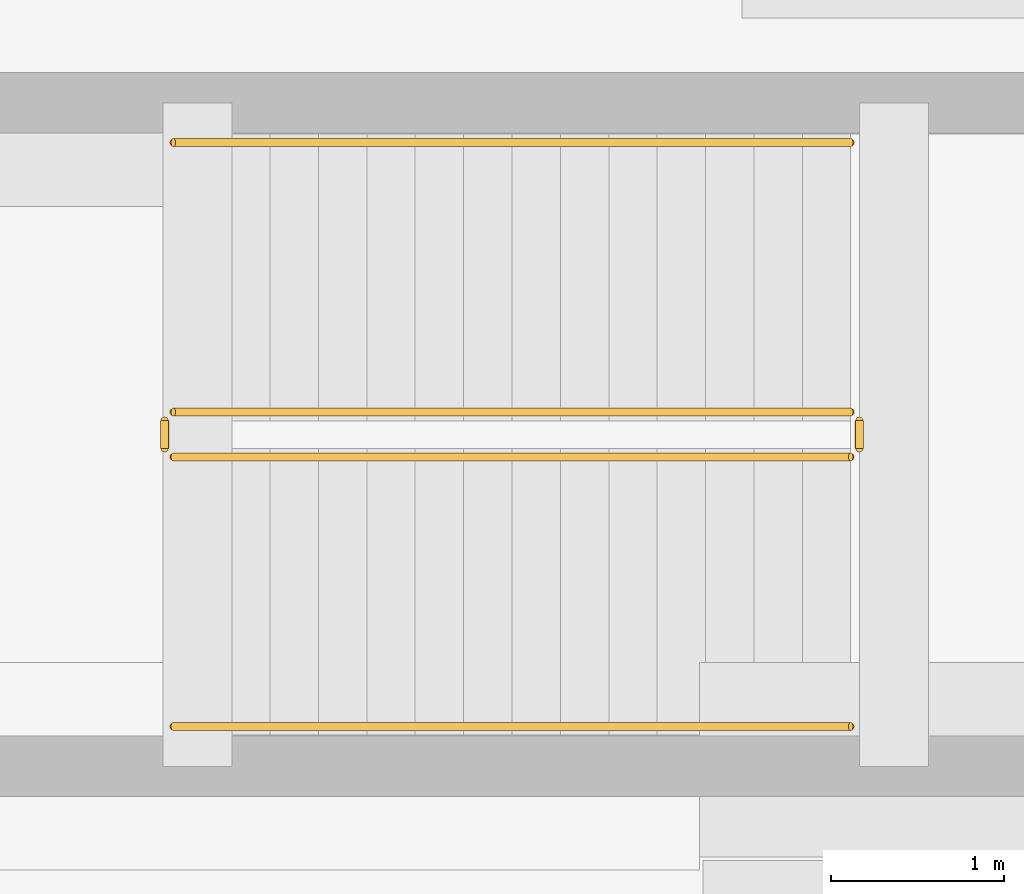
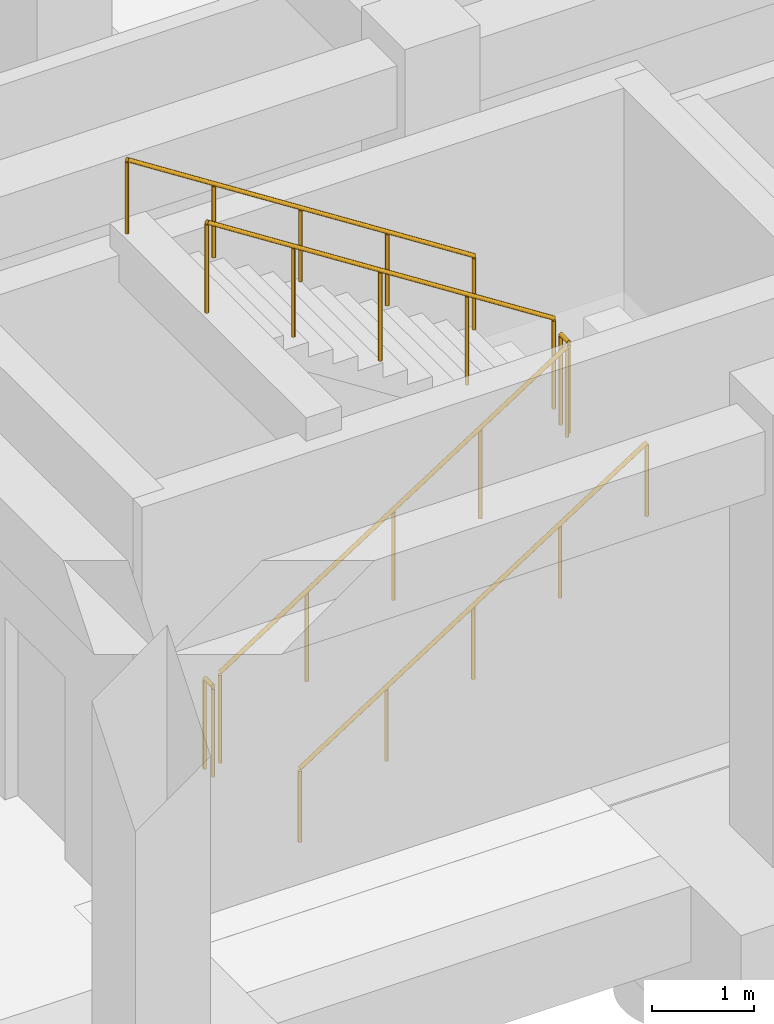
# One storey, part 24 of 26: 6 railings.
"""IFC4 building model written with IfcOpenShell, lengths in metres."""

from ifc_helpers import new_model, si_unit, direction, frame, origin, origin_2d, place, context, subcontext, project, spatial, circle, extrude, material, type_object, element, save


model = new_model("IFC4")

# Units and contexts
model_context = context("Model", 3, precision=1e-05, world=origin(), true_north=direction((0.0, 1.0)))
body_context = subcontext(model_context, "Body", "Model", "MODEL_VIEW")
ifc_project = project(units=[si_unit("LENGTHUNIT", "METRE"), si_unit("AREAUNIT", "SQUARE_METRE"), si_unit("VOLUMEUNIT", "CUBIC_METRE"), si_unit("PLANEANGLEUNIT", "RADIAN"), si_unit("MASSUNIT", "GRAM", prefix="KILO")], contexts=[model_context])

# Site, building, storey
site_placement = place(None, origin())
site = spatial("IfcSite", under=ifc_project, at=site_placement, CompositionType="ELEMENT")
building_placement = place(site_placement, origin())
building = spatial("IfcBuilding", under=site, at=building_placement, Name="Kazehaya Institute of Natural Sciences", CompositionType="ELEMENT")
storey_placement = place(building_placement, frame((0.0, 0.0, -5.39990234375)))
storey = spatial("IfcBuildingStorey", under=building, at=storey_placement, Name="B1", CompositionType="ELEMENT", Elevation=-5.39990234375)

# Railings
ifc_material_1 = material(Name="Structural steel SN490B", Category="steel")
railing_type_1 = type_object("IfcRailingType", Name="RL-STAIR-GRD", PredefinedType="GUARDRAIL", material=ifc_material_1)
railing_1_placement = place(storey_placement, frame((71.860107421875, 89.610107421875, 0.179931640625)))
element("IfcRailing", 1, at=railing_1_placement, inside=storey, type_object=railing_type_1, Name="B1 ST-3 stair guard 1", PredefinedType="GUARDRAIL", context=body_context, shape_type="SweptSolid", body=[
    extrude(circle(Radius=0.02392578125, at=origin_2d()), frame((0.0, 0.0, 1.076171875), z_axis=(0.841171666519, 0.0, 0.540768182723), x_axis=(0.0, 1.0, 0.0)), (0.0, 0.0, 1.0), 4.66015625),
    extrude(circle(Radius=0.02099609375, at=origin_2d()), origin(), (0.0, 0.0, 1.0), 1.052001953125),
    extrude(circle(Radius=0.02099609375, at=origin_2d()), frame((0.97998046875, 0.0, 0.6298828125)), (0.0, 0.0, 1.0), 1.052001953125),
    extrude(circle(Radius=0.02099609375, at=origin_2d()), frame((1.9599609375, 0.0, 1.260009765625)), (0.0, 0.0, 1.0), 1.052001953125),
    extrude(circle(Radius=0.02099609375, at=origin_2d()), frame((2.93994140625, 0.0, 1.89013671875)), (0.0, 0.0, 1.0), 1.052001953125),
    extrude(circle(Radius=0.02099609375, at=origin_2d()), frame((3.919921875, 0.0, 2.52001953125)), (0.0, 0.0, 1.0), 1.052001953125),
])
railing_2_placement = place(storey_placement, frame((75.830078125, 89.659912109375, 2.699951171875)))
element("IfcRailing", 2, at=railing_2_placement, inside=storey, type_object=railing_type_1, Name="B1 ST-3 stair guard 2", PredefinedType="GUARDRAIL", context=body_context, shape_type="SweptSolid", body=[
    extrude(circle(Radius=0.02392578125, at=origin_2d()), frame((0.0, 0.0, 1.076171875), z_axis=(0.0, 1.0, 0.0), x_axis=(-1.0, 0.0, 0.0)), (0.0, 0.0, 1.0), 0.16015625),
    extrude(circle(Radius=0.02099609375, at=origin_2d()), origin(), (0.0, 0.0, 1.0), 1.052001953125),
    extrude(circle(Radius=0.02099609375, at=origin_2d()), frame((0.0, 0.16015625, 0.0)), (0.0, 0.0, 1.0), 1.052001953125),
])
railing_3_placement = place(storey_placement, frame((75.780029296875, 89.8701171875, 2.8798828125)))
element("IfcRailing", 3, at=railing_3_placement, inside=storey, type_object=railing_type_1, Name="B1 ST-3 stair guard 3", PredefinedType="GUARDRAIL", context=body_context, shape_type="SweptSolid", body=[
    extrude(circle(Radius=0.02392578125, at=origin_2d()), frame((0.0, 0.0, 1.076171875), z_axis=(-0.841171666519, 0.0, 0.540768182723), x_axis=(0.0, -1.0, 0.0)), (0.0, 0.0, 1.0), 4.66015625),
    extrude(circle(Radius=0.02099609375, at=origin_2d()), origin(), (0.0, 0.0, 1.0), 1.052001953125),
    extrude(circle(Radius=0.02099609375, at=origin_2d()), frame((-0.97998046875, 0.0, 0.6298828125)), (0.0, 0.0, 1.0), 1.052001953125),
    extrude(circle(Radius=0.02099609375, at=origin_2d()), frame((-1.9599609375, 0.0, 1.260009765625)), (0.0, 0.0, 1.0), 1.052001953125),
    extrude(circle(Radius=0.02099609375, at=origin_2d()), frame((-2.93994140625, 0.0, 1.89013671875)), (0.0, 0.0, 1.0), 1.052001953125),
    extrude(circle(Radius=0.02099609375, at=origin_2d()), frame((-3.919921875, 0.0, 2.52001953125)), (0.0, 0.0, 1.0), 1.052001953125),
])
railing_4_placement = place(storey_placement, frame((71.81005859375, 89.659912109375, 0.0)))
element("IfcRailing", 4, at=railing_4_placement, inside=storey, type_object=railing_type_1, Name="B1 ST-3 stair guard 4", PredefinedType="GUARDRAIL", context=body_context, shape_type="SweptSolid", body=[
    extrude(circle(Radius=0.02392578125, at=origin_2d()), frame((0.0, 0.0, 1.076171875), z_axis=(0.0, 1.0, 0.0), x_axis=(-1.0, 0.0, 0.0)), (0.0, 0.0, 1.0), 0.16015625),
    extrude(circle(Radius=0.02099609375, at=origin_2d()), origin(), (0.0, 0.0, 1.0), 1.052001953125),
    extrude(circle(Radius=0.02099609375, at=origin_2d()), frame((0.0, 0.16015625, 0.0)), (0.0, 0.0, 1.0), 1.052001953125),
])
ifc_material_2 = material(Name="Brushed stainless steel handrail", Category="steel")
railing_type_2 = type_object("IfcRailingType", Name="RL-STAIR-HND", PredefinedType="HANDRAIL", material=ifc_material_2)
railing_5_placement = place(storey_placement, frame((71.860107421875, 88.050048828125, 0.179931640625)))
element("IfcRailing", 5, at=railing_5_placement, inside=storey, type_object=railing_type_2, Name="B1 ST-3 stair handrail 1", PredefinedType="HANDRAIL", context=body_context, shape_type="SweptSolid", body=[
    extrude(circle(Radius=0.02392578125, at=origin_2d()), frame((0.0, 0.0, 0.8759765625), z_axis=(0.841171666519, 0.0, 0.540768182723), x_axis=(0.0, 1.0, 0.0)), (0.0, 0.0, 1.0), 4.66015625),
    extrude(circle(Radius=0.02099609375, at=origin_2d()), origin(), (0.0, 0.0, 1.0), 0.851806640625),
    extrude(circle(Radius=0.02099609375, at=origin_2d()), frame((0.97998046875, 0.0, 0.6298828125)), (0.0, 0.0, 1.0), 0.851806640625),
    extrude(circle(Radius=0.02099609375, at=origin_2d()), frame((1.9599609375, 0.0, 1.260009765625)), (0.0, 0.0, 1.0), 0.851806640625),
    extrude(circle(Radius=0.02099609375, at=origin_2d()), frame((2.93994140625, 0.0, 1.89013671875)), (0.0, 0.0, 1.0), 0.851806640625),
    extrude(circle(Radius=0.02099609375, at=origin_2d()), frame((3.919921875, 0.0, 2.52001953125)), (0.0, 0.0, 1.0), 0.851806640625),
])
railing_6_placement = place(storey_placement, frame((75.780029296875, 91.429931640625, 2.8798828125)))
element("IfcRailing", 6, at=railing_6_placement, inside=storey, type_object=railing_type_2, Name="B1 ST-3 stair handrail 2", PredefinedType="HANDRAIL", context=body_context, shape_type="SweptSolid", body=[
    extrude(circle(Radius=0.02392578125, at=origin_2d()), frame((0.0, 0.0, 0.8759765625), z_axis=(-0.841171666519, 0.0, 0.540768182723), x_axis=(0.0, -1.0, 0.0)), (0.0, 0.0, 1.0), 4.66015625),
    extrude(circle(Radius=0.02099609375, at=origin_2d()), origin(), (0.0, 0.0, 1.0), 0.851806640625),
    extrude(circle(Radius=0.02099609375, at=origin_2d()), frame((-0.97998046875, 0.0, 0.6298828125)), (0.0, 0.0, 1.0), 0.851806640625),
    extrude(circle(Radius=0.02099609375, at=origin_2d()), frame((-1.9599609375, 0.0, 1.260009765625)), (0.0, 0.0, 1.0), 0.851806640625),
    extrude(circle(Radius=0.02099609375, at=origin_2d()), frame((-2.93994140625, 0.0, 1.89013671875)), (0.0, 0.0, 1.0), 0.851806640625),
    extrude(circle(Radius=0.02099609375, at=origin_2d()), frame((-3.919921875, 0.0, 2.52001953125)), (0.0, 0.0, 1.0), 0.851806640625),
])

save(model, "model.ifc")
